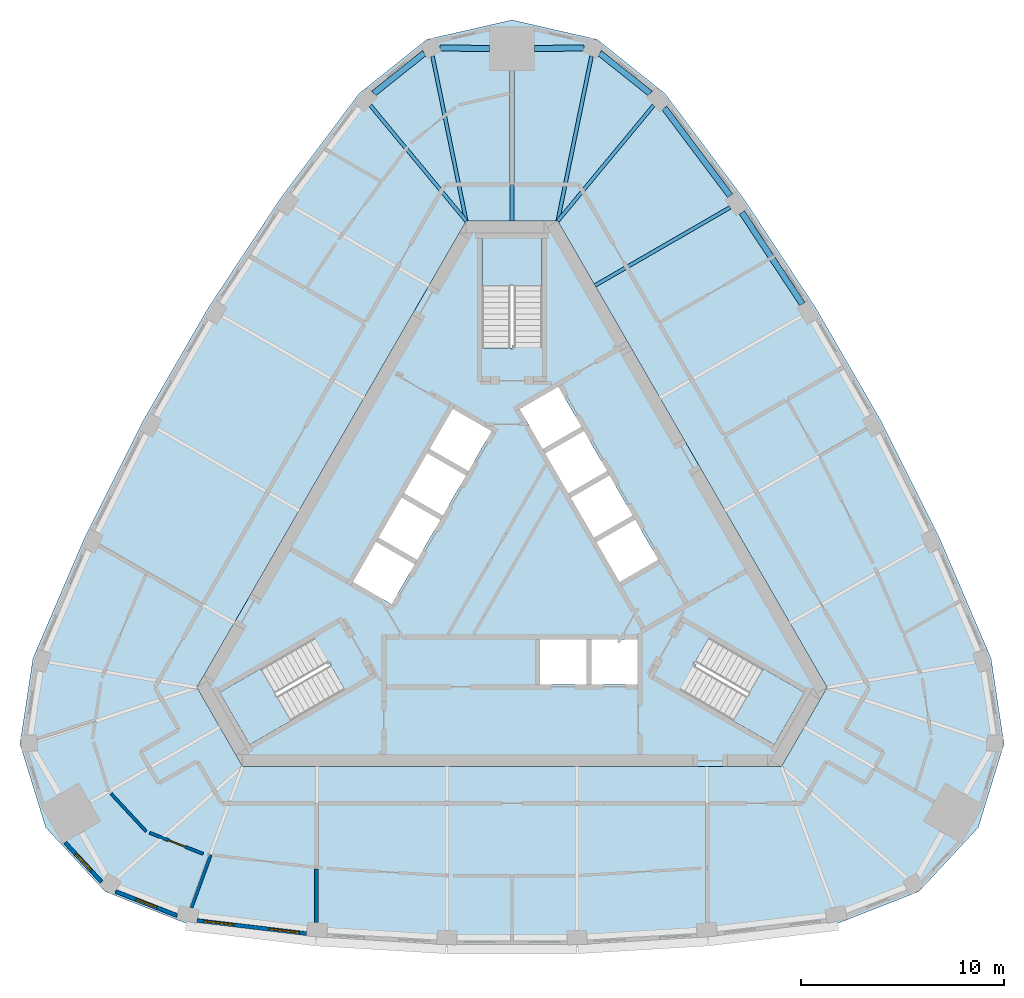
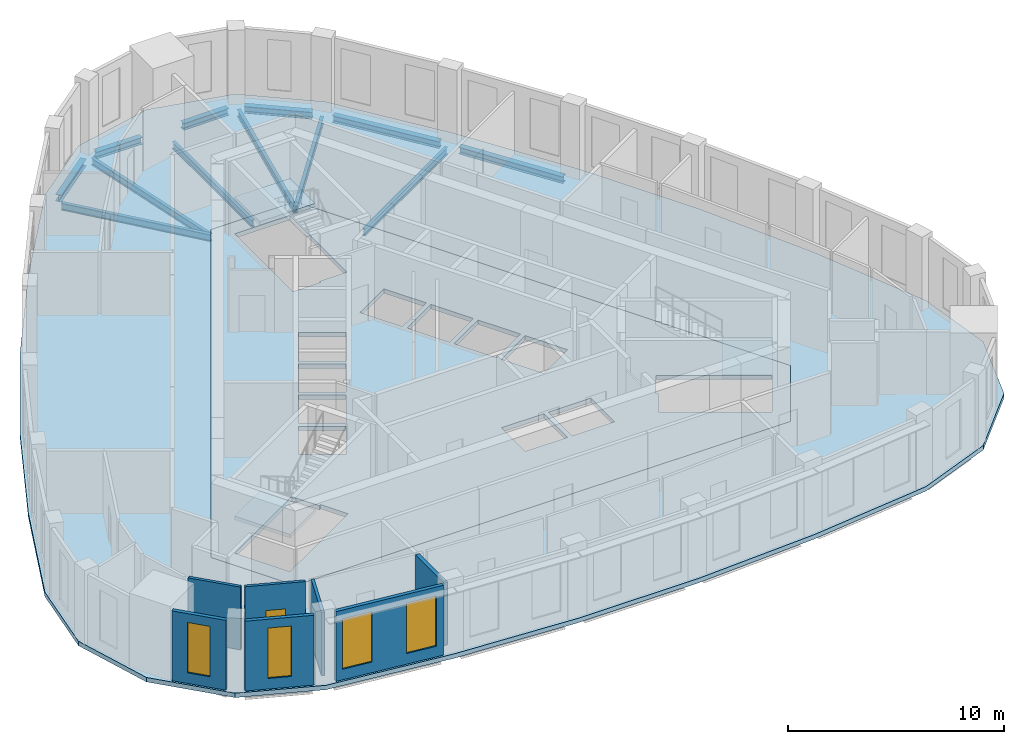
# One storey, part 2 of 10: 12 beams, 7 walls, 5 slabs, 4 windows, 1 door, 5 openings, 3 elements without a shape of their own.
"""IFC4 building model written with IfcOpenShell, lengths in metres."""

from ifc_helpers import new_model, si_unit, direction, frame, frame_2d, origin, origin_2d, place, context, subcontext, project, spatial, polyline, rectangle, i_section, outline, extrude, material, layer, layer_set, material_profile, profile_set, type_object, element, fill, aggregate, save


model = new_model("IFC4")

# Units and contexts
model_context = context("Model", 3, precision=1e-05, world=origin(), true_north=direction((0.0, 1.0)))
body_context = subcontext(model_context, "Body", "Model", "MODEL_VIEW")
ifc_project = project(units=[si_unit("LENGTHUNIT", "METRE"), si_unit("AREAUNIT", "SQUARE_METRE"), si_unit("VOLUMEUNIT", "CUBIC_METRE"), si_unit("PLANEANGLEUNIT", "RADIAN"), si_unit("MASSUNIT", "GRAM", prefix="KILO")], contexts=[model_context])

# Site, building, storey
site_placement = place(None, origin())
site = spatial("IfcSite", under=ifc_project, at=site_placement, CompositionType="ELEMENT")
building_placement = place(site_placement, origin())
building = spatial("IfcBuilding", under=site, at=building_placement, Name="Mestral Congress Tower", CompositionType="ELEMENT")
storey_placement = place(building_placement, frame((0.0, 0.0, 304.800048828125)))
storey = spatial("IfcBuildingStorey", under=building, at=storey_placement, Name="L71", CompositionType="ELEMENT", Elevation=304.800048828125)

# Beams
ifc_material_1 = material(Name="Steel S355", Category="steel")
ifc_material_profile_1 = material_profile(ifc_material_1, i_section(OverallWidth=0.179931640625, OverallDepth=0.39990234375, WebThickness=0.008544921875, FlangeThickness=0.013427734375, FilletRadius=0.02099609375, at=origin_2d()), Name="IPE 400")
ifc_profile_set_1 = profile_set([ifc_material_profile_1], Name="Steel S355")
beam_type_1 = type_object("IfcBeamType", Name="Floor beam IPE 400 S355", PredefinedType="BEAM", material=ifc_profile_set_1)
beam_1_placement = place(storey_placement, frame((10.7275390625, 17.263916015625, -0.449951171875), z_axis=(-0.866019720907, -0.500009842903, 0.0), x_axis=(0.500009842903, -0.866019720907, 0.0)))
element("IfcBeam", 1, at=beam_1_placement, inside=storey, type_object=beam_type_1, Name="BM-L71-RB5-E04", PredefinedType="BEAM", context=body_context, shape_type="SweptSolid", body=[
    extrude(i_section(OverallWidth=0.179931640625, OverallDepth=0.39990234375, WebThickness=0.008544921875, FlangeThickness=0.013427734375, FilletRadius=0.02099609375, at=origin_2d()), origin(), (0.0, 0.0, 1.0), 7.672119140625),
])
beam_2_placement = place(storey_placement, frame((6.969970703125, 22.2890625, -0.449951171875), z_axis=(-0.638382651591, -0.769719163168, 0.0), x_axis=(0.769719163168, -0.638382651591, 0.0)))
element("IfcBeam", 2, at=beam_2_placement, inside=storey, type_object=beam_type_1, Name="BM-L71-RB5-E05", PredefinedType="BEAM", context=body_context, shape_type="SweptSolid", body=[
    extrude(i_section(OverallWidth=0.179931640625, OverallDepth=0.39990234375, WebThickness=0.008544921875, FlangeThickness=0.013427734375, FilletRadius=0.02099609375, at=origin_2d()), origin(), (0.0, 0.0, 1.0), 7.390869140625),
])
beam_3_placement = place(storey_placement, frame((3.910888671875, 24.7119140625, -0.449951171875), z_axis=(-0.200389803804, -0.979716247967, 0.0), x_axis=(0.979716247967, -0.200389803804, 0.0)))
element("IfcBeam", 3, at=beam_3_placement, inside=storey, type_object=beam_type_1, Name="BM-L71-RB5-N1", PredefinedType="BEAM", context=body_context, shape_type="SweptSolid", body=[
    extrude(i_section(OverallWidth=0.179931640625, OverallDepth=0.39990234375, WebThickness=0.008544921875, FlangeThickness=0.013427734375, FilletRadius=0.02099609375, at=origin_2d()), origin(), (0.0, 0.0, 1.0), 8.27978515625),
])
beam_4_placement = place(storey_placement, frame((0.0, 23.97802734375, -0.449951171875), z_axis=(0.0, -1.0, 0.0), x_axis=(1.0, 0.0, 0.0)))
element("IfcBeam", 4, at=beam_4_placement, inside=storey, type_object=beam_type_1, Name="BM-L71-RB5-N", PredefinedType="BEAM", context=body_context, shape_type="SweptSolid", body=[
    extrude(i_section(OverallWidth=0.179931640625, OverallDepth=0.39990234375, WebThickness=0.008544921875, FlangeThickness=0.013427734375, FilletRadius=0.02099609375, at=origin_2d()), origin(), (0.0, 0.0, 1.0), 7.3779296875),
])
beam_5_placement = place(storey_placement, frame((-3.910888671875, 24.7119140625, -0.449951171875), z_axis=(0.200389803804, -0.979716247967, 0.0), x_axis=(0.979716247967, 0.200389803804, 0.0)))
element("IfcBeam", 5, at=beam_5_placement, inside=storey, type_object=beam_type_1, Name="BM-L71-RB5-N3", PredefinedType="BEAM", context=body_context, shape_type="SweptSolid", body=[
    extrude(i_section(OverallWidth=0.179931640625, OverallDepth=0.39990234375, WebThickness=0.008544921875, FlangeThickness=0.013427734375, FilletRadius=0.02099609375, at=origin_2d()), origin(), (0.0, 0.0, 1.0), 8.27978515625),
])
beam_6_placement = place(storey_placement, frame((-6.969970703125, 22.2890625, -0.449951171875), z_axis=(0.638382651591, -0.769719163168, 0.0), x_axis=(0.769719163168, 0.638382651591, 0.0)))
element("IfcBeam", 6, at=beam_6_placement, inside=storey, type_object=beam_type_1, Name="BM-L71-RB5-W00", PredefinedType="BEAM", context=body_context, shape_type="SweptSolid", body=[
    extrude(i_section(OverallWidth=0.179931640625, OverallDepth=0.39990234375, WebThickness=0.008544921875, FlangeThickness=0.013427734375, FilletRadius=0.02099609375, at=origin_2d()), origin(), (0.0, 0.0, 1.0), 7.390869140625),
])
ifc_material_profile_2 = material_profile(ifc_material_1, i_section(OverallWidth=0.300048828125, OverallDepth=0.389892578125, WebThickness=0.010986328125, FlangeThickness=0.01904296875, FilletRadius=0.027099609375, at=origin_2d()), Name="HEA 400")
ifc_profile_set_2 = profile_set([ifc_material_profile_2], Name="Steel S355")
beam_type_2 = type_object("IfcBeamType", Name="Spandrel beam HEA 400 S355", PredefinedType="BEAM", material=ifc_profile_set_2)
beam_7_placement = place(storey_placement, frame((14.280517578125, 12.51611328125, -0.445068359375), z_axis=(-0.550748957655, 0.83467094453, 0.0), x_axis=(-0.83467094453, -0.550748957655, 0.0)))
element("IfcBeam", 7, at=beam_7_placement, inside=storey, type_object=beam_type_2, Name="SP-L71-SB5-E03", PredefinedType="BEAM", context=body_context, shape_type="SweptSolid", body=[
    extrude(i_section(OverallWidth=0.300048828125, OverallDepth=0.389892578125, WebThickness=0.010986328125, FlangeThickness=0.01904296875, FilletRadius=0.027099609375, at=origin_2d()), origin(), (0.0, 0.0, 1.0), 5.3984375),
])
beam_8_placement = place(storey_placement, frame((10.73193359375, 17.83984375, -0.445068359375), z_axis=(-0.599529393236, 0.800352738888, 0.0), x_axis=(-0.800352738888, -0.599529393236, 0.0)))
element("IfcBeam", 8, at=beam_8_placement, inside=storey, type_object=beam_type_2, Name="SP-L71-SB5-E04", PredefinedType="BEAM", context=body_context, shape_type="SweptSolid", body=[
    extrude(i_section(OverallWidth=0.300048828125, OverallDepth=0.389892578125, WebThickness=0.010986328125, FlangeThickness=0.01904296875, FilletRadius=0.027099609375, at=origin_2d()), origin(), (0.0, 0.0, 1.0), 5.396484375),
])
beam_9_placement = place(storey_placement, frame((6.7998046875, 22.876708984375, -0.445068359375), z_axis=(-0.781647188603, 0.623720829016, 0.0), x_axis=(-0.623720829016, -0.781647188603, 0.0)))
element("IfcBeam", 9, at=beam_9_placement, inside=storey, type_object=beam_type_2, Name="SP-L71-SB5-E05", PredefinedType="BEAM", context=body_context, shape_type="SweptSolid", body=[
    extrude(i_section(OverallWidth=0.300048828125, OverallDepth=0.389892578125, WebThickness=0.010986328125, FlangeThickness=0.01904296875, FilletRadius=0.027099609375, at=origin_2d()), origin(), (0.0, 0.0, 1.0), 3.179931640625),
])
for number, where, z_axis, x_axis, name in (
    (10, (3.54736328125, 25.11181640625, -0.445068359375), (-0.999955093848, -0.009476829002, 0.0), (0.009476829002, -0.999955093848, 0.0), "SP-L71-SB5-N1"),
    (11, (-1.10009765625, 25.088623046875, -0.445068359375), (-0.999955093848, 0.009476829002, 0.0), (-0.009476829002, -0.999955093848, 0.0), "SP-L71-SB5-N"),
):
    element("IfcBeam", number, at=place(storey_placement, frame(where, z_axis=z_axis, x_axis=x_axis)), inside=storey, type_object=beam_type_2, Name=name, PredefinedType="BEAM", context=body_context, shape_type="SweptSolid", body=[
        extrude(i_section(OverallWidth=0.300048828125, OverallDepth=0.389892578125, WebThickness=0.010986328125, FlangeThickness=0.01904296875, FilletRadius=0.027099609375, at=origin_2d()), origin(), (0.0, 0.0, 1.0), 2.447265625),
    ])
beam_10_placement = place(storey_placement, frame((-4.314208984375, 24.860107421875, -0.445068359375), z_axis=(-0.781647188603, -0.623720829016, 0.0), x_axis=(0.623720829016, -0.781647188603, 0.0)))
element("IfcBeam", 12, at=beam_10_placement, inside=storey, type_object=beam_type_2, Name="SP-L71-SB5-N3", PredefinedType="BEAM", context=body_context, shape_type="SweptSolid", body=[
    extrude(i_section(OverallWidth=0.300048828125, OverallDepth=0.389892578125, WebThickness=0.010986328125, FlangeThickness=0.01904296875, FilletRadius=0.027099609375, at=origin_2d()), origin(), (0.0, 0.0, 1.0), 3.179931640625),
])

# Slabs
ifc_material_2 = material(Name="Concrete C35/45", Category="concrete")
ifc_layer_1 = layer(ifc_material_2, 0.25)
ifc_layer_set_1 = layer_set([ifc_layer_1], Name="Concrete C35/45")
slab_type_1 = type_object("IfcSlabType", Name="Composite floor slab 250", PredefinedType="FLOOR", material=ifc_layer_set_1)
placement_1 = place(storey_placement, frame((0.0, 0.0, -0.25)))
element("IfcSlab", 13, at=placement_1, inside=storey, type_object=slab_type_1, Name="SL-L71", PredefinedType="FLOOR", context=body_context, shape_type="SweptSolid", body=[
    extrude(outline(polyline([(-16.051513671875, -17.951904296875), (-20.014404296875, -16.39794921875), (-22.940673828125, -13.244873046875), (-24.208251953125, -9.1337890625), (-23.572509765625, -4.925048828125), (-21.027587890625, 1.0234375), (-18.152099609375, 6.77001953125), (-14.939208984375, 12.335205078125), (-11.400146484375, 17.698486328125), (-7.52099609375, 22.876953125), (-4.19384765625, 25.531982421875), (0.0, 26.48974609375), (4.19384765625, 25.531982421875), (7.52099609375, 22.876953125), (11.400146484375, 17.698486328125), (14.939208984375, 12.335205078125), (18.152099609375, 6.77001953125), (21.027587890625, 1.0234375), (23.572509765625, -4.925048828125), (24.208251953125, -9.1337890625), (22.940673828125, -13.244873046875), (20.014404296875, -16.39794921875), (16.051513671875, -17.951904296875), (9.62744140625, -18.72216796875), (3.212890625, -19.105224609375), (-3.212890625, -19.105224609375), (-9.62744140625, -18.72216796875), (-16.051513671875, -17.951904296875)]), holes=[polyline([(-2.251708984375, 16.60009765625), (-15.501953125, -6.35009765625), (-13.250244140625, -10.25), (13.250244140625, -10.25), (15.501953125, -6.35009765625), (2.251708984375, 16.60009765625), (-2.251708984375, 16.60009765625)])]), origin(), (0.0, 0.0, 1.0), 0.25),
])
ifc_material_3 = material(Name="Concrete C60/75", Category="concrete")
ifc_layer_2 = layer(ifc_material_3, 0.25)
ifc_layer_set_2 = layer_set([ifc_layer_2], Name="Concrete C60/75")
slab_type_2 = type_object("IfcSlabType", Name="Core floor slab RC 250", PredefinedType="FLOOR", material=ifc_layer_set_2)
element("IfcSlab", 14, at=placement_1, inside=storey, type_object=slab_type_2, Name="L71 core floor", PredefinedType="FLOOR", context=body_context, shape_type="SweptSolid", body=[
    extrude(outline(polyline([(13.250244140625, -10.25), (-13.250244140625, -10.25), (-15.501953125, -6.35009765625), (-2.251708984375, 16.60009765625), (2.251708984375, 16.60009765625), (15.501953125, -6.35009765625), (13.250244140625, -10.25)]), holes=[polyline([(-14.37744140625, -6.59765625), (-12.90234375, -9.15234375), (-8.234619140625, -6.45751953125), (-8.971923828125, -5.179931640625), (-9.0673828125, -5.235107421875), (-9.8046875, -3.95751953125), (-14.37744140625, -6.59765625)]), polyline([(-5.921630859375, -2.256591796875), (-4.78662109375, -0.29052734375), (-6.69189453125, 0.809326171875), (-7.826904296875, -1.156494140625), (-5.921630859375, -2.256591796875)]), polyline([(-4.66162109375, -0.07421875), (-3.526611328125, 1.8916015625), (-5.431884765625, 2.99169921875), (-6.56689453125, 1.02587890625), (-4.66162109375, -0.07421875)]), polyline([(-2.2666015625, 4.07421875), (-4.171875, 5.174072265625), (-5.306884765625, 3.208251953125), (-3.401611328125, 2.1083984375), (-2.2666015625, 4.07421875)]), polyline([(-2.1416015625, 4.29052734375), (-1.006591796875, 6.256591796875), (-2.911865234375, 7.3564453125), (-4.046875, 5.390625), (-2.1416015625, 4.29052734375)]), polyline([(0.376708984375, 7.34765625), (1.51171875, 5.3818359375), (3.4169921875, 6.481689453125), (2.281982421875, 8.44775390625), (0.376708984375, 7.34765625)]), polyline([(1.47509765625, 15.75), (-1.47509765625, 15.75), (-1.47509765625, 10.360107421875), (0.0, 10.360107421875), (0.0, 10.469970703125), (1.47509765625, 10.469970703125), (1.47509765625, 15.75)]), polyline([(8.329833984375, -6.512451171875), (12.90234375, -9.15234375), (14.37744140625, -6.59765625), (9.70947265625, -3.902587890625), (8.971923828125, -5.179931640625), (9.0673828125, -5.235107421875), (8.329833984375, -6.512451171875)]), polyline([(3.655029296875, -4.0), (1.385009765625, -4.0), (1.385009765625, -6.199951171875), (3.655029296875, -6.199951171875), (3.655029296875, -4.0)]), polyline([(6.175048828125, -4.0), (3.905029296875, -4.0), (3.905029296875, -6.199951171875), (6.175048828125, -6.199951171875), (6.175048828125, -4.0)]), polyline([(4.156494140625, 0.800537109375), (5.29150390625, -1.165283203125), (7.197021484375, -0.065185546875), (6.06201171875, 1.900634765625), (4.156494140625, 0.800537109375)]), polyline([(2.896484375, 2.98291015625), (4.031494140625, 1.01708984375), (5.93701171875, 2.1171875), (4.802001953125, 4.0830078125), (2.896484375, 2.98291015625)]), polyline([(1.63671875, 5.165283203125), (2.771484375, 3.199462890625), (4.677001953125, 4.29931640625), (3.5419921875, 6.265380859375), (1.63671875, 5.165283203125)])]), origin(), (0.0, 0.0, 1.0), 0.25),
])

# Stair, slab
stair_type = type_object("IfcStairType", Name="Exit stair 1400", PredefinedType="HALF_TURN_STAIR", material=ifc_material_3)
placement_2 = place(storey_placement, origin())
stair_1 = element("IfcStair", 15, at=placement_2, inside=storey, type_object=stair_type, Name="L71 ST1", PredefinedType="HALF_TURN_STAIR")
ifc_layer_3 = layer(ifc_material_3, 0.199951171875)
ifc_layer_set_3 = layer_set([ifc_layer_3], Name="Concrete C60/75")
slab_type_3 = type_object("IfcSlabType", Name="Exit stair landing 200", PredefinedType="LANDING", material=ifc_layer_set_3)
placement_3 = place(storey_placement, frame((0.0, 0.0, 1.89990234375)))
slab_3 = element("IfcSlab", 16, at=placement_3, type_object=slab_type_3, Name="ST1 landing 1", PredefinedType="LANDING", context=body_context, shape_type="SweptSolid", body=[
    extrude(outline(polyline([(10.879638671875, -7.99609375), (12.364501953125, -5.424072265625), (14.39111328125, -6.593994140625), (12.906005859375, -9.166015625), (10.879638671875, -7.99609375)])), origin(), (0.0, 0.0, 1.0), 0.199951171875),
])
aggregate(stair_1, [slab_3])

stair_2 = element("IfcStair", 17, at=placement_2, inside=storey, type_object=stair_type, Name="L71 ST2", PredefinedType="HALF_TURN_STAIR")
slab_4 = element("IfcSlab", 18, at=placement_3, type_object=slab_type_3, Name="ST2 landing 1", PredefinedType="LANDING", context=body_context, shape_type="SweptSolid", body=[
    extrude(outline(polyline([(1.485107421875, 13.419921875), (-1.485107421875, 13.419921875), (-1.485107421875, 15.760009765625), (1.485107421875, 15.760009765625), (1.485107421875, 13.419921875)])), origin(), (0.0, 0.0, 1.0), 0.199951171875),
])
aggregate(stair_2, [slab_4])

stair_3 = element("IfcStair", 19, at=placement_2, inside=storey, type_object=stair_type, Name="L71 ST3", PredefinedType="HALF_TURN_STAIR")
slab_5 = element("IfcSlab", 20, at=placement_3, type_object=slab_type_3, Name="ST3 landing 1", PredefinedType="LANDING", context=body_context, shape_type="SweptSolid", body=[
    extrude(outline(polyline([(-12.364501953125, -5.424072265625), (-10.879638671875, -7.99609375), (-12.906005859375, -9.166015625), (-14.39111328125, -6.593994140625), (-12.364501953125, -5.424072265625)])), origin(), (0.0, 0.0, 1.0), 0.199951171875),
])
aggregate(stair_3, [slab_5])

# Wall, openings, windows
ifc_material_4 = material(Name="Precast concrete C40/50 with limestone facing", Category="masonry")
ifc_layer_4 = layer(ifc_material_4, 0.18994140625)
ifc_layer_set_4 = layer_set([ifc_layer_4], Name="Precast concrete C40/50 with limestone facing")
wall_type_1 = type_object("IfcWallType", Name="Facade stone wall 190", PredefinedType="SOLIDWALL", material=ifc_layer_set_4)
wall_1_placement = place(storey_placement, frame((-15.487060546875, -17.822998046875, 0.0), z_axis=(0.0, 0.0, 1.0), x_axis=(0.992885582795, -0.119072328769, 0.0)))
wall_1 = element("IfcWall", 21, at=wall_1_placement, inside=storey, type_object=wall_type_1, Name="Facade wall F0-00", PredefinedType="SOLIDWALL", context=body_context, shape_type="SweptSolid", body=[
    extrude(rectangle(XDim=5.4150390625, YDim=0.18994140625, at=frame_2d((2.70751953125, 0.0))), origin(), (0.0, 0.0, 1.0), 3.949951171875),
])
opening_1_placement = place(wall_1_placement, frame((0.322509765625, 0.0, 0.60009765625)))
opening_1 = element("IfcOpeningElement", 22, at=opening_1_placement, cuts=wall_1, Name="Opening W6", PredefinedType="OPENING", context=body_context, shape_type="SweptSolid", body=[
    extrude(rectangle(XDim=1.5, YDim=2.85009765625, at=frame_2d((0.75, 1.425048828125))), frame((0.0, 0.10498046875, 0.0), z_axis=(0.0, -1.0, 0.0), x_axis=(1.0, 0.0, 0.0)), (0.0, 0.0, 1.0), 0.2099609375),
])
opening_2_placement = place(wall_1_placement, frame((3.5576171875, 0.0, 0.60009765625)))
opening_2 = element("IfcOpeningElement", 23, at=opening_2_placement, cuts=wall_1, Name="Opening W6", PredefinedType="OPENING", context=body_context, shape_type="SweptSolid", body=[
    extrude(rectangle(XDim=1.5, YDim=2.85009765625, at=frame_2d((0.75, 1.425048828125))), frame((0.0, 0.10498046875, 0.0), z_axis=(0.0, -1.0, 0.0), x_axis=(1.0, 0.0, 0.0)), (0.0, 0.0, 1.0), 0.2099609375),
])
ifc_material_5 = material(Name="Clear low-emissivity double glazing", Category="glass")
window_type_1 = type_object("IfcWindowType", Name="Facade punched window 1500 x 2850 sill 600", PartitioningType="SINGLE_PANEL", PredefinedType="WINDOW", material=ifc_material_5)
window_1_placement = place(opening_1_placement, origin())
window_1 = element("IfcWindow", 24, at=window_1_placement, inside=storey, type_object=window_type_1, Name="Window F0-00a", OverallHeight=2.85009765625, OverallWidth=1.5, PartitioningType="SINGLE_PANEL", PredefinedType="WINDOW", context=body_context, shape_type="SweptSolid", body=[
    extrude(rectangle(XDim=1.5, YDim=2.85009765625, at=frame_2d((0.75, 1.425048828125))), frame((0.0, 0.044921875, 0.0), z_axis=(0.0, -1.0, 0.0), x_axis=(1.0, 0.0, 0.0)), (0.0, 0.0, 1.0), 0.06005859375),
])
fill(opening_1, window_1)
window_2_placement = place(opening_2_placement, origin())
window_2 = element("IfcWindow", 25, at=window_2_placement, inside=storey, type_object=window_type_1, Name="Window F0-00b", OverallHeight=2.85009765625, OverallWidth=1.5, PartitioningType="SINGLE_PANEL", PredefinedType="WINDOW", context=body_context, shape_type="SweptSolid", body=[
    extrude(rectangle(XDim=1.5, YDim=2.85009765625, at=frame_2d((0.75, 1.425048828125))), frame((0.0, 0.044921875, 0.0), z_axis=(0.0, -1.0, 0.0), x_axis=(1.0, 0.0, 0.0)), (0.0, 0.0, 1.0), 0.06005859375),
])
fill(opening_2, window_2)

# Wall, opening, window
wall_2_placement = place(storey_placement, frame((-21.98486328125, -13.988037109375, 0.0), z_axis=(0.0, 0.0, 1.0), x_axis=(0.680219354823, -0.733008614768, 0.0)))
wall_2 = element("IfcWall", 26, at=wall_2_placement, inside=storey, type_object=wall_type_1, Name="Facade wall K2-2", PredefinedType="SOLIDWALL", context=body_context, shape_type="SweptSolid", body=[
    extrude(rectangle(XDim=2.626953125, YDim=0.18994140625, at=frame_2d((1.3134765625, 0.0))), origin(), (0.0, 0.0, 1.0), 3.949951171875),
])
opening_3_placement = place(wall_2_placement, frame((0.763427734375, 0.0, 0.60009765625)))
opening_3 = element("IfcOpeningElement", 27, at=opening_3_placement, cuts=wall_2, Name="Opening W7", PredefinedType="OPENING", context=body_context, shape_type="SweptSolid", body=[
    extrude(rectangle(XDim=1.10009765625, YDim=2.85009765625, at=frame_2d((0.550048828125, 1.425048828125))), frame((0.0, 0.10498046875, 0.0), z_axis=(0.0, -1.0, 0.0), x_axis=(1.0, 0.0, 0.0)), (0.0, 0.0, 1.0), 0.2099609375),
])
window_type_2 = type_object("IfcWindowType", Name="Facade punched window 1100 x 2850 sill 600", PartitioningType="SINGLE_PANEL", PredefinedType="WINDOW", material=ifc_material_5)
window_3_placement = place(opening_3_placement, origin())
window_3 = element("IfcWindow", 28, at=window_3_placement, inside=storey, type_object=window_type_2, Name="Window K2-2", OverallHeight=2.85009765625, OverallWidth=1.10009765625, PartitioningType="SINGLE_PANEL", PredefinedType="WINDOW", context=body_context, shape_type="SweptSolid", body=[
    extrude(rectangle(XDim=1.10009765625, YDim=2.85009765625, at=frame_2d((0.550048828125, 1.425048828125))), frame((0.0, 0.044921875, 0.0), z_axis=(0.0, -1.0, 0.0), x_axis=(1.0, 0.0, 0.0)), (0.0, 0.0, 1.0), 0.06005859375),
])
fill(opening_3, window_3)

wall_3_placement = place(storey_placement, frame((-19.496337890625, -16.3916015625, 0.0), z_axis=(0.0, 0.0, 1.0), x_axis=(0.93100888477, -0.364996515709, 0.0)))
wall_3 = element("IfcWall", 29, at=wall_3_placement, inside=storey, type_object=wall_type_1, Name="Facade wall K2-3", PredefinedType="SOLIDWALL", context=body_context, shape_type="SweptSolid", body=[
    extrude(rectangle(XDim=3.23681640625, YDim=0.18994140625, at=frame_2d((1.618408203125, 0.0))), origin(), (0.0, 0.0, 1.0), 3.949951171875),
])
opening_4_placement = place(wall_3_placement, frame((1.068359375, 0.0, 0.60009765625)))
opening_4 = element("IfcOpeningElement", 30, at=opening_4_placement, cuts=wall_3, Name="Opening W7", PredefinedType="OPENING", context=body_context, shape_type="SweptSolid", body=[
    extrude(rectangle(XDim=1.10009765625, YDim=2.85009765625, at=frame_2d((0.550048828125, 1.425048828125))), frame((0.0, 0.10498046875, 0.0), z_axis=(0.0, -1.0, 0.0), x_axis=(1.0, 0.0, 0.0)), (0.0, 0.0, 1.0), 0.2099609375),
])
window_4_placement = place(opening_4_placement, origin())
window_4 = element("IfcWindow", 31, at=window_4_placement, inside=storey, type_object=window_type_2, Name="Window K2-3", OverallHeight=2.85009765625, OverallWidth=1.10009765625, PartitioningType="SINGLE_PANEL", PredefinedType="WINDOW", context=body_context, shape_type="SweptSolid", body=[
    extrude(rectangle(XDim=1.10009765625, YDim=2.85009765625, at=frame_2d((0.550048828125, 1.425048828125))), frame((0.0, 0.044921875, 0.0), z_axis=(0.0, -1.0, 0.0), x_axis=(1.0, 0.0, 0.0)), (0.0, 0.0, 1.0), 0.06005859375),
])
fill(opening_4, window_4)

# Walls
ifc_material_6 = material(Name="Plasterboard partition on steel studs", Category="steel")
ifc_layer_5 = layer(ifc_material_6, 0.14990234375)
ifc_layer_set_5 = layer_set([ifc_layer_5], Name="Plasterboard partition on steel studs")
wall_type_2 = type_object("IfcWallType", Name="Office partition 150", PredefinedType="PARTITIONING", material=ifc_layer_set_5)
wall_4_placement = place(storey_placement, frame((-14.826416015625, -14.583740234375, 0.0), z_axis=(0.0, 0.0, 1.0), x_axis=(-0.341806672652, -0.9397702903, 0.0)))
element("IfcWall", 32, at=wall_4_placement, inside=storey, type_object=wall_type_2, Name="Partition", PredefinedType="PARTITIONING", context=body_context, shape_type="SweptSolid", body=[
    extrude(rectangle(XDim=2.7734375, YDim=0.14990234375, at=frame_2d((1.38671875, 0.0))), origin(), (0.0, 0.0, 1.0), 3.550048828125),
])
wall_5_placement = place(storey_placement, frame((-19.722900390625, -11.58154296875, 0.0), z_axis=(0.0, 0.0, 1.0), x_axis=(0.680277472793, -0.732954678005, 0.0)))
element("IfcWall", 33, at=wall_5_placement, inside=storey, type_object=wall_type_2, Name="Partition", PredefinedType="PARTITIONING", context=body_context, shape_type="SweptSolid", body=[
    extrude(rectangle(XDim=2.53515625, YDim=0.14990234375, at=frame_2d((1.267578125, 0.0))), origin(), (0.0, 0.0, 1.0), 3.550048828125),
])

# Wall, opening, door
wall_6_placement = place(storey_placement, frame((-15.19287109375, -14.539794921875, 0.0), z_axis=(0.0, 0.0, 1.0), x_axis=(-0.930968616147, 0.36509921357, 0.0)))
wall_6 = element("IfcWall", 34, at=wall_6_placement, inside=storey, type_object=wall_type_2, Name="Partition", PredefinedType="PARTITIONING", context=body_context, shape_type="SweptSolid", body=[
    extrude(rectangle(XDim=2.840576171875, YDim=0.14990234375, at=frame_2d((1.42041015625, 0.0))), origin(), (0.0, 0.0, 1.0), 3.550048828125),
])
opening_5_placement = place(wall_6_placement, frame((0.940673828125, 0.0, 0.0)))
opening_5 = element("IfcOpeningElement", 35, at=opening_5_placement, cuts=wall_6, Name="Opening O14-016", PredefinedType="OPENING", context=body_context, shape_type="SweptSolid", body=[
    extrude(rectangle(XDim=0.89990234375, YDim=2.10009765625, at=frame_2d((0.449951171875, 1.050048828125))), frame((0.0, 0.0849609375, 0.0), z_axis=(0.0, -1.0, 0.0), x_axis=(1.0, 0.0, 0.0)), (0.0, 0.0, 1.0), 0.169921875),
])
ifc_material_7 = material(Name="Timber door set", Category="wood")
door_type = type_object("IfcDoorType", Name="Office door 900x2100", OperationType="SINGLE_SWING_LEFT", PredefinedType="DOOR", material=ifc_material_7)
door_placement = place(opening_5_placement, origin())
door = element("IfcDoor", 36, at=door_placement, inside=storey, type_object=door_type, Name="Door O14-016", OperationType="SINGLE_SWING_LEFT", OverallHeight=2.10009765625, OverallWidth=0.89990234375, PredefinedType="DOOR", context=body_context, shape_type="SweptSolid", body=[
    extrude(rectangle(XDim=0.89990234375, YDim=2.10009765625, at=frame_2d((0.449951171875, 1.050048828125))), frame((0.0, 0.02490234375, 0.0), z_axis=(0.0, -1.0, 0.0), x_axis=(1.0, 0.0, 0.0)), (0.0, 0.0, 1.0), 0.050048828125),
])
fill(opening_5, door)

# Wall
ifc_material_8 = material(Name="Dense masonry wall, plastered", Category="masonry")
ifc_layer_6 = layer(ifc_material_8, 0.199951171875)
ifc_layer_set_6 = layer_set([ifc_layer_6], Name="Dense masonry wall, plastered")
wall_type_3 = type_object("IfcWallType", Name="Office tenancy wall 200", PredefinedType="PARTITIONING", material=ifc_layer_set_6)
wall_7_placement = place(storey_placement, frame((-9.62744140625, -17.918701171875, 0.0), z_axis=(0.0, 0.0, 1.0), x_axis=(0.0, 1.0, 0.0)))
element("IfcWall", 37, at=wall_7_placement, inside=storey, type_object=wall_type_3, Name="Tenancy wall", PredefinedType="PARTITIONING", context=body_context, shape_type="SweptSolid", body=[
    extrude(rectangle(XDim=2.635986328125, YDim=0.199951171875, at=frame_2d((1.31787109375, 0.0))), origin(), (0.0, 0.0, 1.0), 3.550048828125),
])

save(model, "model.ifc")
